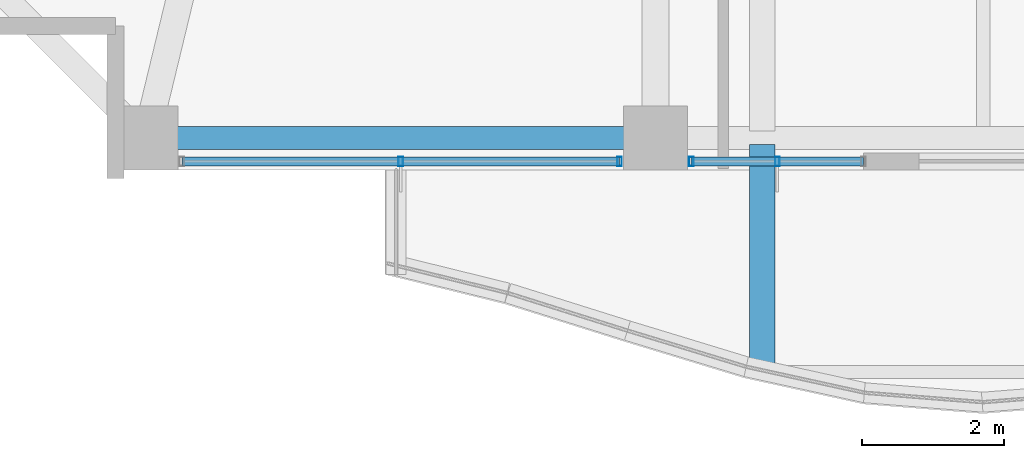
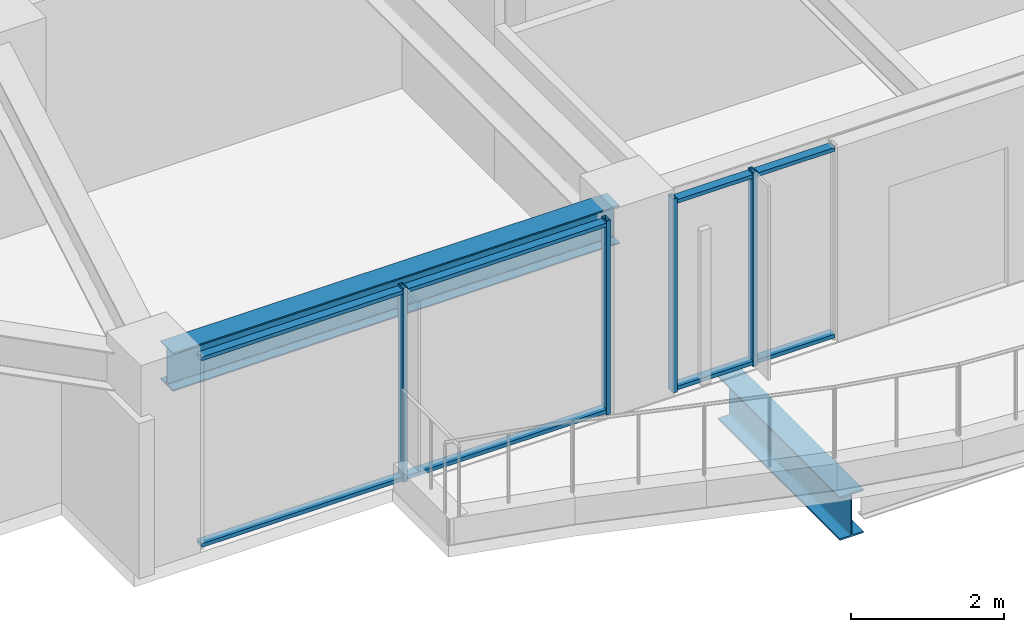
# One storey, part 3 of 31: 8 members, 2 beams, 2 elements without a shape of their own.
"""IFC4 building model written with IfcOpenShell, lengths in metres."""

from ifc_helpers import new_model, si_unit, direction, frame, origin, origin_2d, place, context, subcontext, project, spatial, hollow_rectangle, i_section, extrude, material, material_profile, profile_set, type_object, element, aggregate, save


model = new_model("IFC4")

# Units and contexts
model_context = context("Model", 3, precision=1e-05, world=origin(), true_north=direction((0.0, 1.0)))
body_context = subcontext(model_context, "Body", "Model", "MODEL_VIEW")
ifc_project = project(units=[si_unit("LENGTHUNIT", "METRE"), si_unit("AREAUNIT", "SQUARE_METRE"), si_unit("VOLUMEUNIT", "CUBIC_METRE"), si_unit("PLANEANGLEUNIT", "RADIAN"), si_unit("MASSUNIT", "GRAM", prefix="KILO")], contexts=[model_context])

# Site, building, storey
site_placement = place(None, origin())
site = spatial("IfcSite", under=ifc_project, at=site_placement, CompositionType="ELEMENT")
building_placement = place(site_placement, origin())
building = spatial("IfcBuilding", under=site, at=building_placement, Name="Kolvaren Belvedere", CompositionType="ELEMENT")
storey_placement = place(building_placement, frame((0.0, 0.0, 131.60009765625)))
storey = spatial("IfcBuildingStorey", under=building, at=storey_placement, Name="L38", CompositionType="ELEMENT", Elevation=131.60009765625)

# Beams
ifc_material_1 = material(Name="Structural steel ASTM A992 Grade 50", Category="steel")
ifc_material_profile_1 = material_profile(ifc_material_1, i_section(OverallWidth=0.35498046875, OverallDepth=0.696044921875, WebThickness=0.015380859375, FlangeThickness=0.02490234375, FilletRadius=0.02197265625, at=origin_2d()), Name="W27X146")
ifc_profile_set_1 = profile_set([ifc_material_profile_1], Name="Structural steel ASTM A992 Grade 50")
beam_type_1 = type_object("IfcBeamType", Name="BM-CANT-BAL", PredefinedType="BEAM", material=ifc_profile_set_1)
beam_1_placement = place(storey_placement, frame((-3.10009765625, -17.64501953125, -0.548095703125), z_axis=(0.0, -1.0, 0.0), x_axis=(1.0, 0.0, 0.0)))
element("IfcBeam", 1, at=beam_1_placement, inside=storey, type_object=beam_type_1, Name="L38 Planted Balcony Cantilever BAL-S-1", PredefinedType="BEAM", context=body_context, shape_type="SweptSolid", body=[
    extrude(i_section(OverallWidth=0.35498046875, OverallDepth=0.696044921875, WebThickness=0.015380859375, FlangeThickness=0.02490234375, FilletRadius=0.02197265625, at=origin_2d()), origin(), (0.0, 0.0, 1.0), 3.190673828125),
])
ifc_material_2 = material(Name="Structural steel ASTM A992 Grade 50", Category="steel")
ifc_material_profile_2 = material_profile(ifc_material_2, i_section(OverallWidth=0.324951171875, OverallDepth=0.615966796875, WebThickness=0.013916015625, FlangeThickness=0.021484375, FilletRadius=0.02001953125, at=origin_2d()), Name="W24X117")
ifc_profile_set_2 = profile_set([ifc_material_profile_2], Name="Structural steel ASTM A992 Grade 50")
beam_type_2 = type_object("IfcBeamType", Name="BM-SPAN-W24X117", PredefinedType="SPANDREL", material=ifc_profile_set_2)
beam_2_placement = place(storey_placement, frame((-11.547607421875, -17.550048828125, 2.7919921875), z_axis=(1.0, 0.0, 0.0), x_axis=(0.0, 1.0, 0.0)))
element("IfcBeam", 2, at=beam_2_placement, inside=storey, type_object=beam_type_2, Name="L38 Perimeter Spandrel S1-S2", PredefinedType="SPANDREL", context=body_context, shape_type="SweptSolid", body=[
    extrude(i_section(OverallWidth=0.324951171875, OverallDepth=0.615966796875, WebThickness=0.013916015625, FlangeThickness=0.021484375, FilletRadius=0.02001953125, at=origin_2d()), origin(), (0.0, 0.0, 1.0), 6.7451171875),
])

# Curtain wall, members
ifc_material_3 = material(Name="Anodised pale-metal aluminium AA 6063-T6", Category="aluminium")
curtain_wall_type = type_object("IfcCurtainWallType", Name="CW-Z3-WAIST", PredefinedType="NOTDEFINED", material=ifc_material_3)
curtain_wall_1_placement = place(storey_placement, origin())
curtain_wall_1 = element("IfcCurtainWall", 3, at=curtain_wall_1_placement, inside=storey, type_object=curtain_wall_type, Name="L38 Unitised Curtain Wall FCW-L38-S2-B1", PredefinedType="NOTDEFINED")
ifc_material_4 = material(Name="Anodised pale-metal aluminium AA 6063-T6", Category="aluminium")
ifc_material_profile_3 = material_profile(ifc_material_4, hollow_rectangle(XDim=0.06494140625, YDim=0.1298828125, WallThickness=0.00390625, at=origin_2d()), Name="ALU-MUL-130X65")
ifc_profile_set_3 = profile_set([ifc_material_profile_3], Name="Anodised pale-metal aluminium AA 6063-T6")
member_type_1 = type_object("IfcMemberType", Name="CW-MUL-130", PredefinedType="MULLION", material=ifc_profile_set_3)
member_1_placement = place(storey_placement, frame((-2.888671875, -17.8798828125, 0.0), z_axis=(0.0, 0.0, 1.0), x_axis=(1.0, 0.0, 0.0)))
member_1 = element("IfcMember", 4, at=member_1_placement, type_object=member_type_1, Name="FCW-L38-S2-B1 Unitised Mullion 2", PredefinedType="MULLION", context=body_context, shape_type="SweptSolid", body=[
    extrude(hollow_rectangle(XDim=0.06494140625, YDim=0.1298828125, WallThickness=0.00390625, at=origin_2d()), origin(), (0.0, 0.0, 1.0), 3.099853515625),
])
member_2_placement = place(storey_placement, frame((-4.097412109375, -17.8798828125, 0.0), z_axis=(0.0, 0.0, 1.0), x_axis=(1.0, 0.0, 0.0)))
member_2 = element("IfcMember", 5, at=member_2_placement, type_object=member_type_1, Name="FCW-L38-S2-B1 Unitised Mullion 3", PredefinedType="MULLION", context=body_context, shape_type="SweptSolid", body=[
    extrude(hollow_rectangle(XDim=0.06494140625, YDim=0.1298828125, WallThickness=0.00390625, at=origin_2d()), origin(), (0.0, 0.0, 1.0), 3.099853515625),
])

curtain_wall_2_placement = place(storey_placement, origin())
curtain_wall_2 = element("IfcCurtainWall", 6, at=curtain_wall_2_placement, inside=storey, type_object=curtain_wall_type, Name="L38 Unitised Curtain Wall FCW-L38-S2-B2", PredefinedType="NOTDEFINED")
member_3_placement = place(storey_placement, frame((-5.1025390625, -17.8798828125, 0.0), z_axis=(0.0, 0.0, 1.0), x_axis=(1.0, 0.0, 0.0)))
member_3 = element("IfcMember", 7, at=member_3_placement, type_object=member_type_1, Name="FCW-L38-S2-B2 Unitised Mullion 1", PredefinedType="MULLION", context=body_context, shape_type="SweptSolid", body=[
    extrude(hollow_rectangle(XDim=0.06494140625, YDim=0.1298828125, WallThickness=0.00390625, at=origin_2d()), origin(), (0.0, 0.0, 1.0), 3.099853515625),
])
member_4_placement = place(storey_placement, frame((-8.175048828125, -17.8798828125, 0.0), z_axis=(0.0, 0.0, 1.0), x_axis=(1.0, 0.0, 0.0)))
member_4 = element("IfcMember", 8, at=member_4_placement, type_object=member_type_1, Name="FCW-L38-S2-B2 Unitised Mullion 2", PredefinedType="MULLION", context=body_context, shape_type="SweptSolid", body=[
    extrude(hollow_rectangle(XDim=0.06494140625, YDim=0.1298828125, WallThickness=0.00390625, at=origin_2d()), origin(), (0.0, 0.0, 1.0), 3.099853515625),
])

# Member
ifc_material_5 = material(Name="Anodised pale-metal aluminium AA 6063-T6", Category="aluminium")
ifc_material_profile_4 = material_profile(ifc_material_5, hollow_rectangle(XDim=0.06005859375, YDim=0.1298828125, WallThickness=0.00390625, at=origin_2d()), Name="ALU-TRN-130X60")
ifc_profile_set_4 = profile_set([ifc_material_profile_4], Name="Anodised pale-metal aluminium AA 6063-T6")
member_type_2 = type_object("IfcMemberType", Name="CW-TRN-130", PredefinedType="USERDEFINED", material=ifc_profile_set_4)
member_5_placement = place(storey_placement, frame((-1.679931640625, -17.8798828125, 0.059814453125), z_axis=(-1.0, 0.0, 0.0), x_axis=(0.0, 0.0, 1.0)))
member_5 = element("IfcMember", 9, at=member_5_placement, type_object=member_type_2, Name="FCW-L38-S2-B1 Sill Transom", ObjectType="TRANSOM", PredefinedType="USERDEFINED", context=body_context, shape_type="SweptSolid", body=[
    extrude(hollow_rectangle(XDim=0.06005859375, YDim=0.1298828125, WallThickness=0.00390625, at=origin_2d()), origin(), (0.0, 0.0, 1.0), 2.41748046875),
])

member_6_placement = place(storey_placement, frame((-1.679931640625, -17.8798828125, 3.039794921875), z_axis=(-1.0, 0.0, 0.0), x_axis=(0.0, 0.0, 1.0)))
member_6 = element("IfcMember", 10, at=member_6_placement, type_object=member_type_2, Name="FCW-L38-S2-B1 Head Transom", ObjectType="TRANSOM", PredefinedType="USERDEFINED", context=body_context, shape_type="SweptSolid", body=[
    extrude(hollow_rectangle(XDim=0.06005859375, YDim=0.1298828125, WallThickness=0.00390625, at=origin_2d()), origin(), (0.0, 0.0, 1.0), 2.41748046875),
])

aggregate(curtain_wall_1, [member_1, member_2, member_5, member_6])

member_7_placement = place(storey_placement, frame((-5.1025390625, -17.8798828125, 0.059814453125), z_axis=(-1.0, 0.0, 0.0), x_axis=(0.0, 0.0, 1.0)))
member_7 = element("IfcMember", 11, at=member_7_placement, type_object=member_type_2, Name="FCW-L38-S2-B2 Sill Transom", ObjectType="TRANSOM", PredefinedType="USERDEFINED", context=body_context, shape_type="SweptSolid", body=[
    extrude(hollow_rectangle(XDim=0.06005859375, YDim=0.1298828125, WallThickness=0.00390625, at=origin_2d()), origin(), (0.0, 0.0, 1.0), 6.14501953125),
])

member_8_placement = place(storey_placement, frame((-5.1025390625, -17.8798828125, 3.039794921875), z_axis=(-1.0, 0.0, 0.0), x_axis=(0.0, 0.0, 1.0)))
member_8 = element("IfcMember", 12, at=member_8_placement, type_object=member_type_2, Name="FCW-L38-S2-B2 Head Transom", ObjectType="TRANSOM", PredefinedType="USERDEFINED", context=body_context, shape_type="SweptSolid", body=[
    extrude(hollow_rectangle(XDim=0.06005859375, YDim=0.1298828125, WallThickness=0.00390625, at=origin_2d()), origin(), (0.0, 0.0, 1.0), 6.14501953125),
])

aggregate(curtain_wall_2, [member_3, member_4, member_7, member_8])

save(model, "model.ifc")
